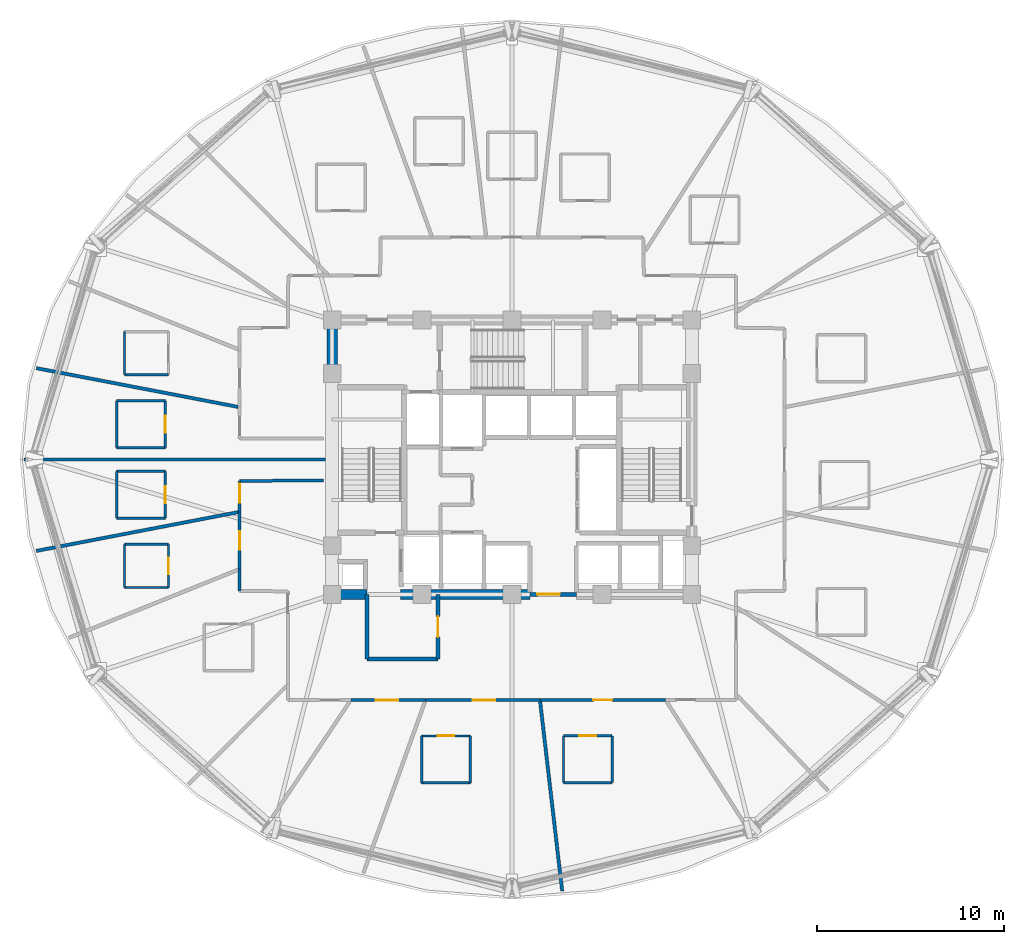
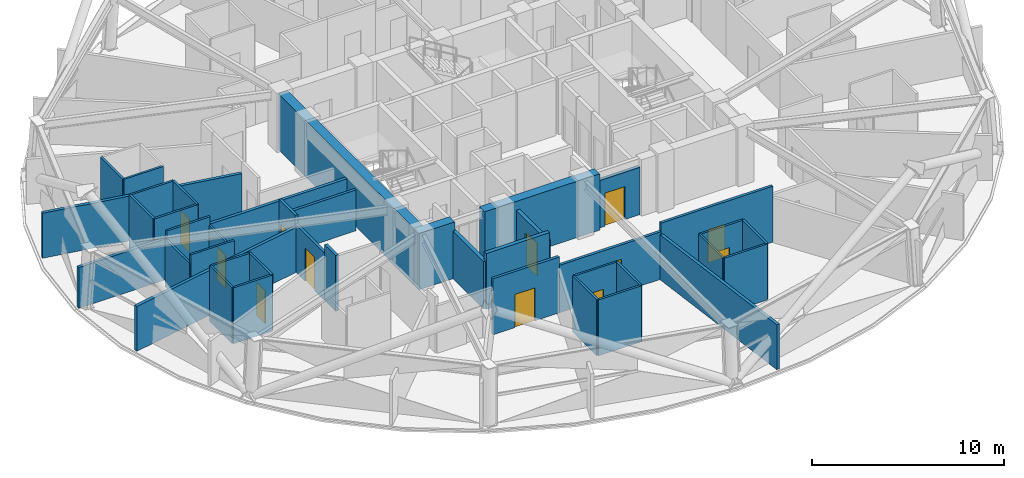
# One storey, part 6 of 14: 40 walls, 12 doors, 12 openings.
"""IFC4 building model written with IfcOpenShell, lengths in metres."""

from ifc_helpers import new_model, si_unit, direction, frame, frame_2d, origin, place, context, subcontext, project, spatial, rectangle, extrude, material, layer, layer_set, type_object, element, fill, save


model = new_model("IFC4")

# Units and contexts
model_context = context("Model", 3, precision=1e-05, world=origin(), true_north=direction((0.0, 1.0)))
body_context = subcontext(model_context, "Body", "Model", "MODEL_VIEW")
ifc_project = project(units=[si_unit("LENGTHUNIT", "METRE"), si_unit("AREAUNIT", "SQUARE_METRE"), si_unit("VOLUMEUNIT", "CUBIC_METRE"), si_unit("PLANEANGLEUNIT", "RADIAN"), si_unit("MASSUNIT", "GRAM", prefix="KILO")], contexts=[model_context])

# Site, building, storey
site_placement = place(None, origin())
site = spatial("IfcSite", under=ifc_project, at=site_placement, CompositionType="ELEMENT")
building_placement = place(site_placement, origin())
building = spatial("IfcBuilding", under=site, at=building_placement, Name="Vantalir Tower", CompositionType="ELEMENT")
storey_placement = place(building_placement, frame((0.0, 0.0, 112.199951171875)))
storey = spatial("IfcBuildingStorey", under=building, at=storey_placement, Name="L27", CompositionType="ELEMENT", Elevation=112.199951171875)

# Walls
ifc_material_1 = material(Name="Moisture-resistant en-suite partition", Category="gypsum")
ifc_layer_1 = layer(ifc_material_1, 0.125)
ifc_layer_set_1 = layer_set([ifc_layer_1], Name="Moisture-resistant en-suite partition")
wall_type_1 = type_object("IfcWallType", Name="WL-BATH-125", PredefinedType="PARTITIONING", material=ifc_layer_set_1)
wall_1_placement = place(storey_placement, frame((10.81396484375, 29.529052734375, 0.0), z_axis=(0.0, 0.0, 1.0), x_axis=(1.0, 0.0, 0.0)))
element("IfcWall", 1, at=wall_1_placement, inside=storey, type_object=wall_type_1, Name="L27 En-suite 09 South Wall", PredefinedType="PARTITIONING", context=body_context, shape_type="SweptSolid", body=[
    extrude(rectangle(XDim=2.35009765625, YDim=0.125, at=frame_2d((1.175048828125, 0.0))), origin(), (0.0, 0.0, 1.0), 3.550048828125),
])
wall_2_placement = place(storey_placement, frame((10.81396484375, 29.529052734375, 0.0), z_axis=(0.0, 0.0, 1.0), x_axis=(0.0, 1.0, 0.0)))
element("IfcWall", 2, at=wall_2_placement, inside=storey, type_object=wall_type_1, Name="L27 En-suite 09 West Wall", PredefinedType="PARTITIONING", context=body_context, shape_type="SweptSolid", body=[
    extrude(rectangle(XDim=2.300048828125, YDim=0.125, at=frame_2d((1.14990234375, 0.0))), origin(), (0.0, 0.0, 1.0), 3.550048828125),
])
for number, where, z_axis, x_axis, name in (
    (3, (10.39501953125, 25.631103515625, 0.0), (0.0, 0.0, 1.0), (1.0, 0.0, 0.0), "L27 En-suite 10 South Wall"),
    (4, (10.39501953125, 28.131103515625, 0.0), (0.0, 0.0, 1.0), (1.0, 0.0, 0.0), "L27 En-suite 10 North Wall"),
):
    element("IfcWall", number, at=place(storey_placement, frame(where, z_axis=z_axis, x_axis=x_axis)), inside=storey, type_object=wall_type_1, Name=name, PredefinedType="PARTITIONING", context=body_context, shape_type="SweptSolid", body=[
        extrude(rectangle(XDim=2.60009765625, YDim=0.125, at=frame_2d((1.300048828125, 0.0))), origin(), (0.0, 0.0, 1.0), 3.550048828125),
    ])
wall_3_placement = place(storey_placement, frame((10.39501953125, 25.631103515625, 0.0), z_axis=(0.0, 0.0, 1.0), x_axis=(0.0, 1.0, 0.0)))
element("IfcWall", 5, at=wall_3_placement, inside=storey, type_object=wall_type_1, Name="L27 En-suite 10 West Wall", PredefinedType="PARTITIONING", context=body_context, shape_type="SweptSolid", body=[
    extrude(rectangle(XDim=2.5, YDim=0.125, at=frame_2d((1.25, 0.0))), origin(), (0.0, 0.0, 1.0), 3.550048828125),
])

# Wall, opening, door
wall_4_placement = place(storey_placement, frame((12.9951171875, 25.631103515625, 0.0), z_axis=(0.0, 0.0, 1.0), x_axis=(0.0, 1.0, 0.0)))
wall_4 = element("IfcWall", 6, at=wall_4_placement, inside=storey, type_object=wall_type_1, Name="L27 En-suite 10 East Wall", PredefinedType="PARTITIONING", context=body_context, shape_type="SweptSolid", body=[
    extrude(rectangle(XDim=2.5, YDim=0.125, at=frame_2d((1.25, 0.0))), origin(), (0.0, 0.0, 1.0), 3.550048828125),
])
opening_1_placement = place(wall_4_placement, frame((0.800048828125, 0.0, 0.0)))
opening_1 = element("IfcOpeningElement", 7, at=opening_1_placement, cuts=wall_4, Name="Opening D-WC", PredefinedType="OPENING", context=body_context, shape_type="SweptSolid", body=[
    extrude(rectangle(XDim=0.89990234375, YDim=2.10009765625, at=frame_2d((0.449951171875, 1.050048828125))), frame((0.0, 0.072509765625, 0.0), z_axis=(0.0, -1.0, 0.0), x_axis=(1.0, 0.0, 0.0)), (0.0, 0.0, 1.0), 0.14501953125),
])
ifc_material_2 = material(Name="Moisture-resistant hardwood door", Category="wood")
door_type_1 = type_object("IfcDoorType", Name="DR-ENSUITE-900", OperationType="NOTDEFINED", PredefinedType="DOOR", material=ifc_material_2)
door_1_placement = place(opening_1_placement, origin())
door_1 = element("IfcDoor", 8, at=door_1_placement, inside=storey, type_object=door_type_1, Name="L27 En-suite 10 Door", OperationType="SINGLE_SWING_RIGHT", OverallHeight=2.10009765625, OverallWidth=0.89990234375, PredefinedType="DOOR", context=body_context, shape_type="SweptSolid", body=[
    extrude(rectangle(XDim=0.89990234375, YDim=2.10009765625, at=frame_2d((0.449951171875, 1.050048828125))), frame((0.0, 0.02490234375, 0.0), z_axis=(0.0, -1.0, 0.0), x_axis=(1.0, 0.0, 0.0)), (0.0, 0.0, 1.0), 0.050048828125),
])
fill(opening_1, door_1)

# Walls
for number, where, z_axis, x_axis, name in (
    (9, (10.39501953125, 21.868896484375, 0.0), (0.0, 0.0, 1.0), (1.0, 0.0, 0.0), "L27 En-suite 11 South Wall"),
    (10, (10.39501953125, 24.368896484375, 0.0), (0.0, 0.0, 1.0), (1.0, 0.0, 0.0), "L27 En-suite 11 North Wall"),
):
    element("IfcWall", number, at=place(storey_placement, frame(where, z_axis=z_axis, x_axis=x_axis)), inside=storey, type_object=wall_type_1, Name=name, PredefinedType="PARTITIONING", context=body_context, shape_type="SweptSolid", body=[
        extrude(rectangle(XDim=2.60009765625, YDim=0.125, at=frame_2d((1.300048828125, 0.0))), origin(), (0.0, 0.0, 1.0), 3.550048828125),
    ])
wall_5_placement = place(storey_placement, frame((10.39501953125, 21.868896484375, 0.0), z_axis=(0.0, 0.0, 1.0), x_axis=(0.0, 1.0, 0.0)))
element("IfcWall", 11, at=wall_5_placement, inside=storey, type_object=wall_type_1, Name="L27 En-suite 11 West Wall", PredefinedType="PARTITIONING", context=body_context, shape_type="SweptSolid", body=[
    extrude(rectangle(XDim=2.5, YDim=0.125, at=frame_2d((1.25, 0.0))), origin(), (0.0, 0.0, 1.0), 3.006103515625),
])

# Wall, opening, door
wall_6_placement = place(storey_placement, frame((12.9951171875, 21.868896484375, 0.0), z_axis=(0.0, 0.0, 1.0), x_axis=(0.0, 1.0, 0.0)))
wall_6 = element("IfcWall", 12, at=wall_6_placement, inside=storey, type_object=wall_type_1, Name="L27 En-suite 11 East Wall", PredefinedType="PARTITIONING", context=body_context, shape_type="SweptSolid", body=[
    extrude(rectangle(XDim=2.5, YDim=0.125, at=frame_2d((1.25, 0.0))), origin(), (0.0, 0.0, 1.0), 3.006103515625),
])
opening_2_placement = place(wall_6_placement, frame((0.800048828125, 0.0, 0.0)))
opening_2 = element("IfcOpeningElement", 13, at=opening_2_placement, cuts=wall_6, Name="Opening D-WC", PredefinedType="OPENING", context=body_context, shape_type="SweptSolid", body=[
    extrude(rectangle(XDim=0.89990234375, YDim=2.10009765625, at=frame_2d((0.449951171875, 1.050048828125))), frame((0.0, 0.072509765625, 0.0), z_axis=(0.0, -1.0, 0.0), x_axis=(1.0, 0.0, 0.0)), (0.0, 0.0, 1.0), 0.14501953125),
])
door_2_placement = place(opening_2_placement, origin())
door_2 = element("IfcDoor", 14, at=door_2_placement, inside=storey, type_object=door_type_1, Name="L27 En-suite 11 Door", OperationType="SINGLE_SWING_LEFT", OverallHeight=2.10009765625, OverallWidth=0.89990234375, PredefinedType="DOOR", context=body_context, shape_type="SweptSolid", body=[
    extrude(rectangle(XDim=0.89990234375, YDim=2.10009765625, at=frame_2d((0.449951171875, 1.050048828125))), frame((0.0, 0.02490234375, 0.0), z_axis=(0.0, -1.0, 0.0), x_axis=(1.0, 0.0, 0.0)), (0.0, 0.0, 1.0), 0.050048828125),
])
fill(opening_2, door_2)

# Walls
for number, where, z_axis, x_axis, name in (
    (15, (10.81396484375, 18.1708984375, 0.0), (0.0, 0.0, 1.0), (1.0, 0.0, 0.0), "L27 En-suite 12 South Wall"),
    (16, (10.81396484375, 20.470947265625, 0.0), (0.0, 0.0, 1.0), (1.0, 0.0, 0.0), "L27 En-suite 12 North Wall"),
):
    element("IfcWall", number, at=place(storey_placement, frame(where, z_axis=z_axis, x_axis=x_axis)), inside=storey, type_object=wall_type_1, Name=name, PredefinedType="PARTITIONING", context=body_context, shape_type="SweptSolid", body=[
        extrude(rectangle(XDim=2.35009765625, YDim=0.125, at=frame_2d((1.175048828125, 0.0))), origin(), (0.0, 0.0, 1.0), 3.550048828125),
    ])
wall_7_placement = place(storey_placement, frame((10.81396484375, 18.1708984375, 0.0), z_axis=(0.0, 0.0, 1.0), x_axis=(0.0, 1.0, 0.0)))
element("IfcWall", 17, at=wall_7_placement, inside=storey, type_object=wall_type_1, Name="L27 En-suite 12 West Wall", PredefinedType="PARTITIONING", context=body_context, shape_type="SweptSolid", body=[
    extrude(rectangle(XDim=2.300048828125, YDim=0.125, at=frame_2d((1.14990234375, 0.0))), origin(), (0.0, 0.0, 1.0), 3.550048828125),
])

# Wall, opening, door
wall_8_placement = place(storey_placement, frame((13.1640625, 18.1708984375, 0.0), z_axis=(0.0, 0.0, 1.0), x_axis=(0.0, 1.0, 0.0)))
wall_8 = element("IfcWall", 18, at=wall_8_placement, inside=storey, type_object=wall_type_1, Name="L27 En-suite 12 East Wall", PredefinedType="PARTITIONING", context=body_context, shape_type="SweptSolid", body=[
    extrude(rectangle(XDim=2.300048828125, YDim=0.125, at=frame_2d((1.14990234375, 0.0))), origin(), (0.0, 0.0, 1.0), 3.550048828125),
])
opening_3_placement = place(wall_8_placement, frame((0.699951171875, 0.0, 0.0)))
opening_3 = element("IfcOpeningElement", 19, at=opening_3_placement, cuts=wall_8, Name="Opening D-WC", PredefinedType="OPENING", context=body_context, shape_type="SweptSolid", body=[
    extrude(rectangle(XDim=0.89990234375, YDim=2.10009765625, at=frame_2d((0.449951171875, 1.050048828125))), frame((0.0, 0.072509765625, 0.0), z_axis=(0.0, -1.0, 0.0), x_axis=(1.0, 0.0, 0.0)), (0.0, 0.0, 1.0), 0.14501953125),
])
door_3_placement = place(opening_3_placement, origin())
door_3 = element("IfcDoor", 20, at=door_3_placement, inside=storey, type_object=door_type_1, Name="L27 En-suite 12 Door", OperationType="SINGLE_SWING_RIGHT", OverallHeight=2.10009765625, OverallWidth=0.89990234375, PredefinedType="DOOR", context=body_context, shape_type="SweptSolid", body=[
    extrude(rectangle(XDim=0.89990234375, YDim=2.10009765625, at=frame_2d((0.449951171875, 1.050048828125))), frame((0.0, 0.02490234375, 0.0), z_axis=(0.0, -1.0, 0.0), x_axis=(1.0, 0.0, 0.0)), (0.0, 0.0, 1.0), 0.050048828125),
])
fill(opening_3, door_3)

# Wall
wall_9_placement = place(storey_placement, frame((26.679931640625, 7.74609375, 0.0), z_axis=(0.0, 0.0, 1.0), x_axis=(1.0, 0.0, 0.0)))
element("IfcWall", 21, at=wall_9_placement, inside=storey, type_object=wall_type_1, Name="L27 En-suite 16 South Wall", PredefinedType="PARTITIONING", context=body_context, shape_type="SweptSolid", body=[
    extrude(rectangle(XDim=2.60009765625, YDim=0.125, at=frame_2d((1.300048828125, 0.0))), origin(), (0.0, 0.0, 1.0), 3.550048828125),
])

# Wall, opening, door
wall_10_placement = place(storey_placement, frame((26.679931640625, 10.24609375, 0.0), z_axis=(0.0, 0.0, 1.0), x_axis=(1.0, 0.0, 0.0)))
wall_10 = element("IfcWall", 22, at=wall_10_placement, inside=storey, type_object=wall_type_1, Name="L27 En-suite 16 North Wall", PredefinedType="PARTITIONING", context=body_context, shape_type="SweptSolid", body=[
    extrude(rectangle(XDim=2.60009765625, YDim=0.125, at=frame_2d((1.300048828125, 0.0))), origin(), (0.0, 0.0, 1.0), 3.550048828125),
])
opening_4_placement = place(wall_10_placement, frame((0.85009765625, 0.0, 0.0)))
opening_4 = element("IfcOpeningElement", 23, at=opening_4_placement, cuts=wall_10, Name="Opening D-WC", PredefinedType="OPENING", context=body_context, shape_type="SweptSolid", body=[
    extrude(rectangle(XDim=0.89990234375, YDim=2.10009765625, at=frame_2d((0.449951171875, 1.050048828125))), frame((0.0, 0.072509765625, 0.0), z_axis=(0.0, -1.0, 0.0), x_axis=(1.0, 0.0, 0.0)), (0.0, 0.0, 1.0), 0.14501953125),
])
door_4_placement = place(opening_4_placement, frame((0.89990234375, 0.0, 0.0), z_axis=(0.0, 0.0, 1.0), x_axis=(-1.0, 0.0, 0.0)))
door_4 = element("IfcDoor", 24, at=door_4_placement, inside=storey, type_object=door_type_1, Name="L27 En-suite 16 Door", OperationType="SINGLE_SWING_RIGHT", OverallHeight=2.10009765625, OverallWidth=0.89990234375, PredefinedType="DOOR", context=body_context, shape_type="SweptSolid", body=[
    extrude(rectangle(XDim=0.89990234375, YDim=2.10009765625, at=frame_2d((0.449951171875, 1.050048828125))), frame((0.0, 0.02490234375, 0.0), z_axis=(0.0, -1.0, 0.0), x_axis=(1.0, 0.0, 0.0)), (0.0, 0.0, 1.0), 0.050048828125),
])
fill(opening_4, door_4)

# Walls
for number, where, z_axis, x_axis, name in (
    (25, (26.679931640625, 7.74609375, 0.0), (0.0, 0.0, 1.0), (0.0, 1.0, 0.0), "L27 En-suite 16 West Wall"),
    (26, (29.280029296875, 7.74609375, 0.0), (0.0, 0.0, 1.0), (0.0, 1.0, 0.0), "L27 En-suite 16 East Wall"),
):
    element("IfcWall", number, at=place(storey_placement, frame(where, z_axis=z_axis, x_axis=x_axis)), inside=storey, type_object=wall_type_1, Name=name, PredefinedType="PARTITIONING", context=body_context, shape_type="SweptSolid", body=[
        extrude(rectangle(XDim=2.5, YDim=0.125, at=frame_2d((1.25, 0.0))), origin(), (0.0, 0.0, 1.0), 3.550048828125),
    ])
wall_11_placement = place(storey_placement, frame((34.2451171875, 7.7509765625, 0.0), z_axis=(0.0, 0.0, 1.0), x_axis=(1.0, 0.0, 0.0)))
element("IfcWall", 27, at=wall_11_placement, inside=storey, type_object=wall_type_1, Name="L27 En-suite 17 South Wall", PredefinedType="PARTITIONING", context=body_context, shape_type="SweptSolid", body=[
    extrude(rectangle(XDim=2.599853515625, YDim=0.125, at=frame_2d((1.2998046875, 0.0))), origin(), (0.0, 0.0, 1.0), 3.550048828125),
])

# Wall, opening, door
wall_12_placement = place(storey_placement, frame((34.2451171875, 10.2509765625, 0.0), z_axis=(0.0, 0.0, 1.0), x_axis=(1.0, 0.0, 0.0)))
wall_12 = element("IfcWall", 28, at=wall_12_placement, inside=storey, type_object=wall_type_1, Name="L27 En-suite 17 North Wall", PredefinedType="PARTITIONING", context=body_context, shape_type="SweptSolid", body=[
    extrude(rectangle(XDim=2.599853515625, YDim=0.125, at=frame_2d((1.2998046875, 0.0))), origin(), (0.0, 0.0, 1.0), 3.550048828125),
])
opening_5_placement = place(wall_12_placement, frame((0.85009765625, 0.0, 0.0)))
opening_5 = element("IfcOpeningElement", 29, at=opening_5_placement, cuts=wall_12, Name="Opening D-WC", PredefinedType="OPENING", context=body_context, shape_type="SweptSolid", body=[
    extrude(rectangle(XDim=0.89990234375, YDim=2.10009765625, at=frame_2d((0.449951171875, 1.050048828125))), frame((0.0, 0.072509765625, 0.0), z_axis=(0.0, -1.0, 0.0), x_axis=(1.0, 0.0, 0.0)), (0.0, 0.0, 1.0), 0.14501953125),
])
door_5_placement = place(opening_5_placement, frame((0.89990234375, 0.0, 0.0), z_axis=(0.0, 0.0, 1.0), x_axis=(-1.0, 0.0, 0.0)))
door_5 = element("IfcDoor", 30, at=door_5_placement, inside=storey, type_object=door_type_1, Name="L27 En-suite 17 Door", OperationType="SINGLE_SWING_LEFT", OverallHeight=2.10009765625, OverallWidth=0.89990234375, PredefinedType="DOOR", context=body_context, shape_type="SweptSolid", body=[
    extrude(rectangle(XDim=0.89990234375, YDim=2.10009765625, at=frame_2d((0.449951171875, 1.050048828125))), frame((0.0, 0.02490234375, 0.0), z_axis=(0.0, -1.0, 0.0), x_axis=(1.0, 0.0, 0.0)), (0.0, 0.0, 1.0), 0.050048828125),
])
fill(opening_5, door_5)

# Walls
for number, where, z_axis, x_axis, name in (
    (31, (34.2451171875, 7.7509765625, 0.0), (0.0, 0.0, 1.0), (0.0, 1.0, 0.0), "L27 En-suite 17 West Wall"),
    (32, (36.844970703125, 7.7509765625, 0.0), (0.0, 0.0, 1.0), (0.0, 1.0, 0.0), "L27 En-suite 17 East Wall"),
):
    element("IfcWall", number, at=place(storey_placement, frame(where, z_axis=z_axis, x_axis=x_axis)), inside=storey, type_object=wall_type_1, Name=name, PredefinedType="PARTITIONING", context=body_context, shape_type="SweptSolid", body=[
        extrude(rectangle(XDim=2.5, YDim=0.125, at=frame_2d((1.25, 0.0))), origin(), (0.0, 0.0, 1.0), 3.550048828125),
    ])
ifc_material_3 = material(Name="Concrete C60/75", Category="concrete")
ifc_layer_2 = layer(ifc_material_3, 0.550048828125)
ifc_layer_set_2 = layer_set([ifc_layer_2], Name="Concrete C60/75")
wall_type_2 = type_object("IfcWallType", Name="WL-CORE-550", PredefinedType="SHEAR", material=ifc_layer_set_2)
wall_13_placement = place(storey_placement, frame((21.625, 17.800048828125, 0.0), z_axis=(0.0, 0.0, 1.0), x_axis=(1.0, 0.0, 0.0)))
element("IfcWall", 33, at=wall_13_placement, inside=storey, type_object=wall_type_2, Name="L27 Core Shear Wall South-West", PredefinedType="SHEAR", context=body_context, shape_type="SweptSolid", body=[
    extrude(rectangle(XDim=2.125, YDim=0.550048828125, at=frame_2d((1.0625, 0.0))), origin(), (0.0, 0.0, 1.0), 3.570068359375),
])
wall_14_placement = place(storey_placement, frame((25.550048828125, 17.800048828125, 0.0), z_axis=(0.0, 0.0, 1.0), x_axis=(1.0, 0.0, 0.0)))
element("IfcWall", 34, at=wall_14_placement, inside=storey, type_object=wall_type_2, Name="L27 Core Shear Wall South-Mid", PredefinedType="SHEAR", context=body_context, shape_type="SweptSolid", body=[
    extrude(rectangle(XDim=6.89990234375, YDim=0.550048828125, at=frame_2d((3.449951171875, 0.0))), origin(), (0.0, 0.0, 1.0), 3.570068359375),
])
wall_15_placement = place(storey_placement, frame((21.89990234375, 18.074951171875, 0.0), z_axis=(0.0, 0.0, 1.0), x_axis=(0.0, 1.0, 0.0)))
element("IfcWall", 35, at=wall_15_placement, inside=storey, type_object=wall_type_2, Name="L27 Core Shear Wall West", PredefinedType="SHEAR", context=body_context, shape_type="SweptSolid", body=[
    extrude(rectangle(XDim=14.10009765625, YDim=0.550048828125, at=frame_2d((7.050048828125, 0.0))), origin(), (0.0, 0.0, 1.0), 3.570068359375),
])

# Wall, opening, door
ifc_material_4 = material(Name="Fire-rated hotel corridor acoustic partition", Category="gypsum")
ifc_layer_3 = layer(ifc_material_4, 0.159912109375)
ifc_layer_set_3 = layer_set([ifc_layer_3], Name="Fire-rated hotel corridor acoustic partition")
wall_type_3 = type_object("IfcWallType", Name="WL-CORR-160", PredefinedType="PARTITIONING", material=ifc_layer_set_3)
wall_16_placement = place(storey_placement, frame((39.697998046875, 12.166015625, 0.0), z_axis=(0.0, 0.0, 1.0), x_axis=(-0.999999904544, -0.000436935583, 0.0)))
wall_16 = element("IfcWall", 36, at=wall_16_placement, inside=storey, type_object=wall_type_3, Name="L27 Corridor Partition 28", PredefinedType="PARTITIONING", context=body_context, shape_type="SweptSolid", body=[
    extrude(rectangle(XDim=6.705078125, YDim=0.159912109375, at=frame_2d((3.3525390625, 0.0))), origin(), (0.0, 0.0, 1.0), 3.550048828125),
])
opening_6_placement = place(wall_16_placement, frame((2.85302734375, 0.0, 0.0)))
opening_6 = element("IfcOpeningElement", 37, at=opening_6_placement, cuts=wall_16, Name="Opening D-GUEST", PredefinedType="OPENING", context=body_context, shape_type="SweptSolid", body=[
    extrude(rectangle(XDim=1.0, YDim=2.10009765625, at=frame_2d((0.5, 1.050048828125))), frame((0.0, 0.08984375, 0.0), z_axis=(0.0, -1.0, 0.0), x_axis=(1.0, 0.0, 0.0)), (0.0, 0.0, 1.0), 0.179931640625),
])
ifc_material_5 = material(Name="Solid-core teak veneer acoustic fire door", Category="wood")
door_type_2 = type_object("IfcDoorType", Name="DR-GUEST-ENTRY-1000", OperationType="NOTDEFINED", PredefinedType="DOOR", material=ifc_material_5)
door_6_placement = place(opening_6_placement, origin())
door_6 = element("IfcDoor", 38, at=door_6_placement, inside=storey, type_object=door_type_2, Name="L27 Deluxe King Hotel Room 17 Door", OperationType="SINGLE_SWING_LEFT", OverallHeight=2.10009765625, OverallWidth=1.0, PredefinedType="DOOR", context=body_context, shape_type="SweptSolid", body=[
    extrude(rectangle(XDim=1.0, YDim=2.10009765625, at=frame_2d((0.5, 1.050048828125))), frame((0.0, 0.02490234375, 0.0), z_axis=(0.0, -1.0, 0.0), x_axis=(1.0, 0.0, 0.0)), (0.0, 0.0, 1.0), 0.050048828125),
])
fill(opening_6, door_6)

wall_17_placement = place(storey_placement, frame((32.992919921875, 12.1630859375, 0.0), z_axis=(0.0, 0.0, 1.0), x_axis=(-0.999999864995, -0.000519625799, 0.0)))
wall_17 = element("IfcWall", 39, at=wall_17_placement, inside=storey, type_object=wall_type_3, Name="L27 Corridor Partition 29", PredefinedType="PARTITIONING", context=body_context, shape_type="SweptSolid", body=[
    extrude(rectangle(XDim=6.10791015625, YDim=0.159912109375, at=frame_2d((3.053955078125, 0.0))), origin(), (0.0, 0.0, 1.0), 3.006103515625),
])
opening_7_placement = place(wall_17_placement, frame((2.3798828125, 0.0, 0.0)))
opening_7 = element("IfcOpeningElement", 40, at=opening_7_placement, cuts=wall_17, Name="Opening D-STE", PredefinedType="OPENING", context=body_context, shape_type="SweptSolid", body=[
    extrude(rectangle(XDim=1.199951171875, YDim=2.10009765625, at=frame_2d((0.60009765625, 1.050048828125))), frame((0.0, 0.08984375, 0.0), z_axis=(0.0, -1.0, 0.0), x_axis=(1.0, 0.0, 0.0)), (0.0, 0.0, 1.0), 0.179931640625),
])
ifc_material_6 = material(Name="Solid-core teak veneer suite entrance door", Category="wood")
door_type_3 = type_object("IfcDoorType", Name="DR-SUITE-ENTRY-1200", OperationType="NOTDEFINED", PredefinedType="DOOR", material=ifc_material_6)
door_7_placement = place(opening_7_placement, origin())
door_7 = element("IfcDoor", 41, at=door_7_placement, inside=storey, type_object=door_type_3, Name="L27 Corner Panorama Hotel Suite 16 Door", OperationType="SINGLE_SWING_RIGHT", OverallHeight=2.10009765625, OverallWidth=1.199951171875, PredefinedType="DOOR", context=body_context, shape_type="SweptSolid", body=[
    extrude(rectangle(XDim=1.199951171875, YDim=2.10009765625, at=frame_2d((0.60009765625, 1.050048828125))), frame((0.0, 0.02490234375, 0.0), z_axis=(0.0, -1.0, 0.0), x_axis=(1.0, 0.0, 0.0)), (0.0, 0.0, 1.0), 0.050048828125),
])
fill(opening_7, door_7)

wall_18_placement = place(storey_placement, frame((26.885009765625, 12.159912109375, 0.0), z_axis=(0.0, 0.0, 1.0), x_axis=(-0.999999880133, -0.000489625989, 0.0)))
wall_18 = element("IfcWall", 42, at=wall_18_placement, inside=storey, type_object=wall_type_3, Name="L27 Corridor Partition 30", PredefinedType="PARTITIONING", context=body_context, shape_type="SweptSolid", body=[
    extrude(rectangle(XDim=3.989013671875, YDim=0.159912109375, at=frame_2d((1.99462890625, 0.0))), origin(), (0.0, 0.0, 1.0), 3.550048828125),
])
opening_8_placement = place(wall_18_placement, frame((1.467041015625, 0.0, 0.0)))
opening_8 = element("IfcOpeningElement", 43, at=opening_8_placement, cuts=wall_18, Name="Opening D-STE", PredefinedType="OPENING", context=body_context, shape_type="SweptSolid", body=[
    extrude(rectangle(XDim=1.199951171875, YDim=2.10009765625, at=frame_2d((0.60009765625, 1.050048828125))), frame((0.0, 0.08984375, 0.0), z_axis=(0.0, -1.0, 0.0), x_axis=(1.0, 0.0, 0.0)), (0.0, 0.0, 1.0), 0.179931640625),
])
door_8_placement = place(opening_8_placement, origin())
door_8 = element("IfcDoor", 44, at=door_8_placement, inside=storey, type_object=door_type_3, Name="L27 Club Reading Lounge 15 Door", OperationType="SINGLE_SWING_LEFT", OverallHeight=2.10009765625, OverallWidth=1.199951171875, PredefinedType="DOOR", context=body_context, shape_type="SweptSolid", body=[
    extrude(rectangle(XDim=1.199951171875, YDim=2.10009765625, at=frame_2d((0.60009765625, 1.050048828125))), frame((0.0, 0.02490234375, 0.0), z_axis=(0.0, -1.0, 0.0), x_axis=(1.0, 0.0, 0.0)), (0.0, 0.0, 1.0), 0.050048828125),
])
fill(opening_8, door_8)

# Wall
wall_19_placement = place(storey_placement, frame((16.9560546875, 17.991943359375, 0.0), z_axis=(0.0, 0.0, 1.0), x_axis=(0.0, 1.0, 0.0)))
element("IfcWall", 45, at=wall_19_placement, inside=storey, type_object=wall_type_3, Name="L27 Corridor Partition 35", PredefinedType="PARTITIONING", context=body_context, shape_type="SweptSolid", body=[
    extrude(rectangle(XDim=1.155029296875, YDim=0.159912109375, at=frame_2d((0.57763671875, 0.0))), origin(), (0.0, 0.0, 1.0), 3.550048828125),
])

# Wall, opening, door
wall_20_placement = place(storey_placement, frame((16.9560546875, 19.14697265625, 0.0), z_axis=(0.0, 0.0, 1.0), x_axis=(0.0, 1.0, 0.0)))
wall_20 = element("IfcWall", 46, at=wall_20_placement, inside=storey, type_object=wall_type_3, Name="L27 Corridor Partition 36", PredefinedType="PARTITIONING", context=body_context, shape_type="SweptSolid", body=[
    extrude(rectangle(XDim=3.05908203125, YDim=0.159912109375, at=frame_2d((1.529541015625, 0.0))), origin(), (0.0, 0.0, 1.0), 3.006103515625),
])
opening_9_placement = place(wall_20_placement, frame((1.030029296875, 0.0, 0.0)))
opening_9 = element("IfcOpeningElement", 47, at=opening_9_placement, cuts=wall_20, Name="Opening D-GUEST", PredefinedType="OPENING", context=body_context, shape_type="SweptSolid", body=[
    extrude(rectangle(XDim=1.0, YDim=2.10009765625, at=frame_2d((0.5, 1.050048828125))), frame((0.0, 0.08984375, 0.0), z_axis=(0.0, -1.0, 0.0), x_axis=(1.0, 0.0, 0.0)), (0.0, 0.0, 1.0), 0.179931640625),
])
door_9_placement = place(opening_9_placement, origin())
door_9 = element("IfcDoor", 48, at=door_9_placement, inside=storey, type_object=door_type_2, Name="L27 Twin Queen Hotel Room 12 Door", OperationType="SINGLE_SWING_RIGHT", OverallHeight=2.10009765625, OverallWidth=1.0, PredefinedType="DOOR", context=body_context, shape_type="SweptSolid", body=[
    extrude(rectangle(XDim=1.0, YDim=2.10009765625, at=frame_2d((0.5, 1.050048828125))), frame((0.0, 0.02490234375, 0.0), z_axis=(0.0, -1.0, 0.0), x_axis=(1.0, 0.0, 0.0)), (0.0, 0.0, 1.0), 0.050048828125),
])
fill(opening_9, door_9)

wall_21_placement = place(storey_placement, frame((16.9560546875, 22.2060546875, 0.0), z_axis=(0.0, 0.0, 1.0), x_axis=(0.0, 1.0, 0.0)))
wall_21 = element("IfcWall", 49, at=wall_21_placement, inside=storey, type_object=wall_type_3, Name="L27 Corridor Partition 37", PredefinedType="PARTITIONING", context=body_context, shape_type="SweptSolid", body=[
    extrude(rectangle(XDim=1.65185546875, YDim=0.159912109375, at=frame_2d((0.825927734375, 0.0))), origin(), (0.0, 0.0, 1.0), 3.550048828125),
])
opening_10_placement = place(wall_21_placement, frame((0.491943359375, 0.0, 0.0)))
opening_10 = element("IfcOpeningElement", 50, at=opening_10_placement, cuts=wall_21, Name="Opening D-GUEST", PredefinedType="OPENING", context=body_context, shape_type="SweptSolid", body=[
    extrude(rectangle(XDim=1.0, YDim=2.10009765625, at=frame_2d((0.5, 1.050048828125))), frame((0.0, 0.08984375, 0.0), z_axis=(0.0, -1.0, 0.0), x_axis=(1.0, 0.0, 0.0)), (0.0, 0.0, 1.0), 0.179931640625),
])
door_10_placement = place(opening_10_placement, origin())
door_10 = element("IfcDoor", 51, at=door_10_placement, inside=storey, type_object=door_type_2, Name="L27 Deluxe King Hotel Room 11 Door", OperationType="SINGLE_SWING_LEFT", OverallHeight=2.10009765625, OverallWidth=1.0, PredefinedType="DOOR", context=body_context, shape_type="SweptSolid", body=[
    extrude(rectangle(XDim=1.0, YDim=2.10009765625, at=frame_2d((0.5, 1.050048828125))), frame((0.0, 0.02490234375, 0.0), z_axis=(0.0, -1.0, 0.0), x_axis=(1.0, 0.0, 0.0)), (0.0, 0.0, 1.0), 0.050048828125),
])
fill(opening_10, door_10)

# Wall
wall_22_placement = place(storey_placement, frame((16.9560546875, 23.85791015625, 0.0), z_axis=(0.0, 0.0, 1.0), x_axis=(0.999983068136, 0.005819230342, 0.0)))
element("IfcWall", 52, at=wall_22_placement, inside=storey, type_object=wall_type_3, Name="L27 Corridor Partition 38", PredefinedType="PARTITIONING", context=body_context, shape_type="SweptSolid", body=[
    extrude(rectangle(XDim=4.489013671875, YDim=0.159912109375, at=frame_2d((2.24462890625, 0.0))), origin(), (0.0, 0.0, 1.0), 2.594970703125),
])

# Wall, opening, door
ifc_material_7 = material(Name="Concrete blockwork with fireboard lining", Category="masonry")
ifc_layer_4 = layer(ifc_material_7, 0.219970703125)
ifc_layer_set_4 = layer_set([ifc_layer_4], Name="Concrete blockwork with fireboard lining")
wall_type_4 = type_object("IfcWallType", Name="WL-FFL-220", PredefinedType="PARTITIONING", material=ifc_layer_set_4)
wall_23_placement = place(storey_placement, frame((32.449951171875, 17.800048828125, 0.0), z_axis=(0.0, 0.0, 1.0), x_axis=(1.0, 0.0, 0.0)))
wall_23 = element("IfcWall", 53, at=wall_23_placement, inside=storey, type_object=wall_type_4, Name="L27 Passenger Lift Lobby South Wall", PredefinedType="PARTITIONING", context=body_context, shape_type="SweptSolid", body=[
    extrude(rectangle(XDim=2.5, YDim=0.219970703125, at=frame_2d((1.25, 0.0))), origin(), (0.0, 0.0, 1.0), 3.006103515625),
])
opening_11_placement = place(wall_23_placement, frame((0.39990234375, 0.0, 0.0)))
opening_11 = element("IfcOpeningElement", 54, at=opening_11_placement, cuts=wall_23, Name="Opening D-STE", PredefinedType="OPENING", context=body_context, shape_type="SweptSolid", body=[
    extrude(rectangle(XDim=1.199951171875, YDim=2.10009765625, at=frame_2d((0.60009765625, 1.050048828125))), frame((0.0, 0.119873046875, 0.0), z_axis=(0.0, -1.0, 0.0), x_axis=(1.0, 0.0, 0.0)), (0.0, 0.0, 1.0), 0.239990234375),
])
door_11_placement = place(opening_11_placement, origin())
door_11 = element("IfcDoor", 55, at=door_11_placement, inside=storey, type_object=door_type_3, Name="L27 Passenger Lift Lobby Concourse Door", OperationType="SINGLE_SWING_RIGHT", OverallHeight=2.10009765625, OverallWidth=1.199951171875, PredefinedType="DOOR", context=body_context, shape_type="SweptSolid", body=[
    extrude(rectangle(XDim=1.199951171875, YDim=2.10009765625, at=frame_2d((0.60009765625, 1.050048828125))), frame((0.0, 0.02490234375, 0.0), z_axis=(0.0, -1.0, 0.0), x_axis=(1.0, 0.0, 0.0)), (0.0, 0.0, 1.0), 0.050048828125),
])
fill(opening_11, door_11)

# Walls
wall_24_placement = place(storey_placement, frame((23.75, 14.35009765625, 0.0), z_axis=(0.0, 0.0, 1.0), x_axis=(0.0, 1.0, 0.0)))
element("IfcWall", 56, at=wall_24_placement, inside=storey, type_object=wall_type_4, Name="L27 Firefighting Lobby West Outer W", PredefinedType="PARTITIONING", context=body_context, shape_type="SweptSolid", body=[
    extrude(rectangle(XDim=3.449951171875, YDim=0.219970703125, at=frame_2d((1.72509765625, 0.0))), origin(), (0.0, 0.0, 1.0), 3.006103515625),
])
wall_25_placement = place(storey_placement, frame((23.75, 14.35009765625, 0.0), z_axis=(0.0, 0.0, 1.0), x_axis=(1.0, 0.0, 0.0)))
element("IfcWall", 57, at=wall_25_placement, inside=storey, type_object=wall_type_4, Name="L27 Firefighting Lobby West South Wall", PredefinedType="PARTITIONING", context=body_context, shape_type="SweptSolid", body=[
    extrude(rectangle(XDim=3.800048828125, YDim=0.219970703125, at=frame_2d((1.89990234375, 0.0))), origin(), (0.0, 0.0, 1.0), 3.550048828125),
])

# Wall, opening, door
wall_26_placement = place(storey_placement, frame((27.550048828125, 14.35009765625, 0.0), z_axis=(0.0, 0.0, 1.0), x_axis=(0.0, 1.0, 0.0)))
wall_26 = element("IfcWall", 58, at=wall_26_placement, inside=storey, type_object=wall_type_4, Name="L27 Firefighting Lobby West East Wall", PredefinedType="PARTITIONING", context=body_context, shape_type="SweptSolid", body=[
    extrude(rectangle(XDim=3.449951171875, YDim=0.219970703125, at=frame_2d((1.72509765625, 0.0))), origin(), (0.0, 0.0, 1.0), 3.006103515625),
])
opening_12_placement = place(wall_26_placement, frame((1.175048828125, 0.0, 0.0)))
opening_12 = element("IfcOpeningElement", 59, at=opening_12_placement, cuts=wall_26, Name="Opening D-FFL", PredefinedType="OPENING", context=body_context, shape_type="SweptSolid", body=[
    extrude(rectangle(XDim=1.10009765625, YDim=2.10009765625, at=frame_2d((0.550048828125, 1.050048828125))), frame((0.0, 0.119873046875, 0.0), z_axis=(0.0, -1.0, 0.0), x_axis=(1.0, 0.0, 0.0)), (0.0, 0.0, 1.0), 0.239990234375),
])
ifc_material_8 = material(Name="Fire-rated acoustic steel door", Category="steel")
door_type_4 = type_object("IfcDoorType", Name="DR-FIRE-LOBBY-1100", OperationType="NOTDEFINED", PredefinedType="DOOR", material=ifc_material_8)
door_12_placement = place(opening_12_placement, origin())
door_12 = element("IfcDoor", 60, at=door_12_placement, inside=storey, type_object=door_type_4, Name="L27 Firefighting Lobby West Access Door", OperationType="SINGLE_SWING_RIGHT", OverallHeight=2.10009765625, OverallWidth=1.10009765625, PredefinedType="DOOR", context=body_context, shape_type="SweptSolid", body=[
    extrude(rectangle(XDim=1.10009765625, YDim=2.10009765625, at=frame_2d((0.550048828125, 1.050048828125))), frame((0.0, 0.02490234375, 0.0), z_axis=(0.0, -1.0, 0.0), x_axis=(1.0, 0.0, 0.0)), (0.0, 0.0, 1.0), 0.050048828125),
])
fill(opening_12, door_12)

# Walls
ifc_material_9 = material(Name="Twin-stud acoustic fire-rated gypsum partition", Category="gypsum")
ifc_layer_5 = layer(ifc_material_9, 0.179931640625)
ifc_layer_set_5 = layer_set([ifc_layer_5], Name="Twin-stud acoustic fire-rated gypsum partition")
wall_type_5 = type_object("IfcWallType", Name="WL-GUEST-180", PredefinedType="PARTITIONING", material=ifc_layer_set_5)
wall_27_placement = place(storey_placement, frame((16.8798828125, 27.80908203125, 0.0), z_axis=(0.0, 0.0, 1.0), x_axis=(-0.982041525157, 0.188664895694, 0.0)))
element("IfcWall", 61, at=wall_27_placement, inside=storey, type_object=wall_type_5, Name="L27 Radial Suite Partition 10", PredefinedType="PARTITIONING", context=body_context, shape_type="SweptSolid", body=[
    extrude(rectangle(XDim=10.9658203125, YDim=0.179931640625, at=frame_2d((5.48291015625, 0.0))), origin(), (0.0, 0.0, 1.0), 2.85107421875),
])
wall_28_placement = place(storey_placement, frame((21.550048828125, 25.0, 0.0), z_axis=(0.0, 0.0, 1.0), x_axis=(-1.0, 0.0, 0.0)))
element("IfcWall", 62, at=wall_28_placement, inside=storey, type_object=wall_type_5, Name="L27 Radial Suite Partition 11", PredefinedType="PARTITIONING", context=body_context, shape_type="SweptSolid", body=[
    extrude(rectangle(XDim=16.087158203125, YDim=0.179931640625, at=frame_2d((8.04345703125, 0.0))), origin(), (0.0, 0.0, 1.0), 2.594970703125),
])
wall_29_placement = place(storey_placement, frame((16.8798828125, 22.19091796875, 0.0), z_axis=(0.0, 0.0, 1.0), x_axis=(-0.982041525157, -0.188664895694, 0.0)))
element("IfcWall", 63, at=wall_29_placement, inside=storey, type_object=wall_type_5, Name="L27 Radial Suite Partition 12", PredefinedType="PARTITIONING", context=body_context, shape_type="SweptSolid", body=[
    extrude(rectangle(XDim=10.9658203125, YDim=0.179931640625, at=frame_2d((5.48291015625, 0.0))), origin(), (0.0, 0.0, 1.0), 2.85107421875),
])
wall_30_placement = place(storey_placement, frame((33.0029296875, 12.074951171875, 0.0), z_axis=(0.0, 0.0, 1.0), x_axis=(0.115527845825, -0.993304241831, 0.0)))
element("IfcWall", 64, at=wall_30_placement, inside=storey, type_object=wall_type_5, Name="L27 Radial Suite Partition 17", PredefinedType="PARTITIONING", context=body_context, shape_type="SweptSolid", body=[
    extrude(rectangle(XDim=10.171142578125, YDim=0.179931640625, at=frame_2d((5.08544921875, 0.0))), origin(), (0.0, 0.0, 1.0), 2.85107421875),
])

save(model, "model.ifc")
